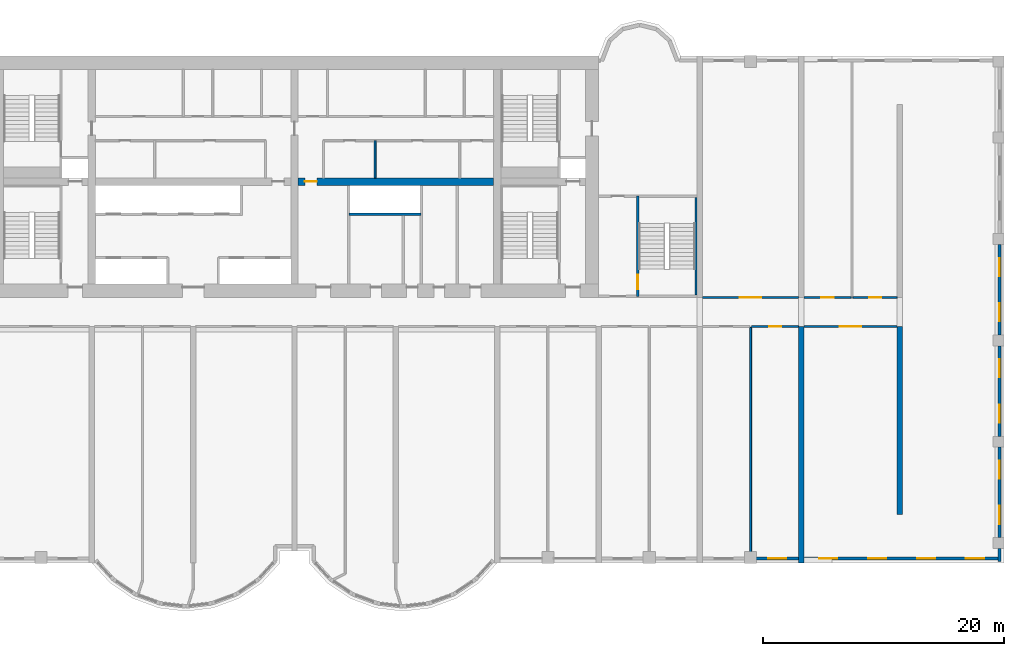
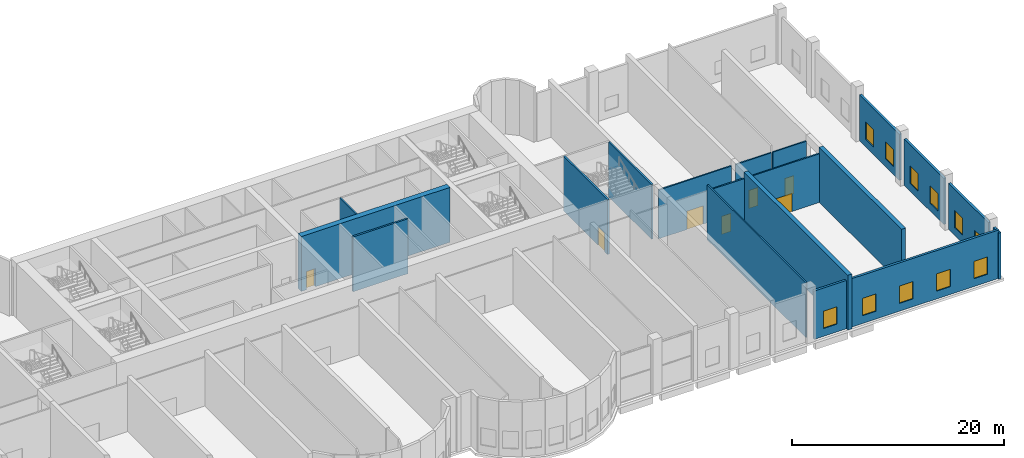
# One storey, part 12 of 15: 19 walls, 11 windows, 7 doors, 18 openings.
"""IFC4 building model written with IfcOpenShell, lengths in metres."""

from ifc_helpers import new_model, si_unit, direction, frame, frame_2d, origin, place, context, subcontext, project, spatial, rectangle, extrude, source, transform, mapped, material, layer, layer_set, type_object, element, fill, save


model = new_model("IFC4")

# Units and contexts
model_context = context("Model", 3, precision=1e-05, world=origin(), true_north=direction((0.0, 1.0)))
body_context = subcontext(model_context, "Body", "Model", "MODEL_VIEW")
ifc_project = project(units=[si_unit("LENGTHUNIT", "METRE"), si_unit("AREAUNIT", "SQUARE_METRE"), si_unit("VOLUMEUNIT", "CUBIC_METRE"), si_unit("PLANEANGLEUNIT", "RADIAN"), si_unit("MASSUNIT", "GRAM", prefix="KILO")], contexts=[model_context])

# Site, building, storey
site_placement = place(None, origin())
site = spatial("IfcSite", under=ifc_project, at=site_placement, CompositionType="ELEMENT")
building_placement = place(site_placement, origin())
building = spatial("IfcBuilding", under=site, at=building_placement, Name="Vanashikhar Sky Hotel", CompositionType="ELEMENT")
storey_placement = place(building_placement, frame((0.0, 0.0, 11.39990234375)))
storey = spatial("IfcBuildingStorey", under=building, at=storey_placement, Name="L02", CompositionType="ELEMENT", Elevation=11.39990234375)

# Wall, opening, door
ifc_material_1 = material(Name="Concrete M80", Category="concrete")
ifc_layer_1 = layer(ifc_material_1, 0.60009765625)
ifc_layer_set_1 = layer_set([ifc_layer_1], Name="RC core inner wall 600 Concrete M80")
wall_type_1 = type_object("IfcWallType", Name="RC core inner wall 600 Concrete M80", PredefinedType="SHEAR", material=ifc_layer_set_1)
shared_shape_1 = source(origin(), body_context, "Body", "SweptSolid", [
    extrude(rectangle(XDim=16.199951171875, YDim=0.60009765625, at=frame_2d((8.10009765625, 0.0))), origin(), (0.0, 0.0, 1.0), 6.320068359375),
])
wall_1_placement = place(storey_placement, frame((50.699951171875, 31.60009765625, 0.0), z_axis=(0.0, 0.0, 1.0), x_axis=(1.0, 0.0, 0.0)))
wall_1 = element("IfcWall", 1, at=wall_1_placement, inside=storey, type_object=wall_type_1, Name="KW-L02-KY3", PredefinedType="SHEAR", context=body_context, shape_type="MappedRepresentation", body=[
    mapped(shared_shape_1, transform((0.0, 0.0, 0.0), scale=1.0)),
])
shared_shape_2 = source(origin(), body_context, "Body", "SweptSolid", [
    extrude(rectangle(XDim=1.0, YDim=2.10009765625, at=frame_2d((0.5, 1.050048828125))), frame((0.0, 0.31005859375, 0.0), z_axis=(0.0, -1.0, 0.0), x_axis=(1.0, 0.0, 0.0)), (0.0, 0.0, 1.0), 0.6201171875),
])
opening_1_placement = place(wall_1_placement, frame((0.550048828125, 0.0, 0.0)))
opening_1 = element("IfcOpeningElement", 2, at=opening_1_placement, cuts=wall_1, Name="Opening DC-4", PredefinedType="OPENING", context=body_context, shape_type="MappedRepresentation", body=[
    mapped(shared_shape_2, transform((0.0, 0.0, 0.0), scale=1.0)),
])
ifc_material_2 = material(Name="Steel", Category="steel")
door_type_1 = type_object("IfcDoorType", Name="Service door 1000 FD60", OperationType="NOTDEFINED", PredefinedType="DOOR", material=ifc_material_2)
shared_shape_3 = source(origin(), body_context, "Body", "SweptSolid", [
    extrude(rectangle(XDim=1.0, YDim=2.10009765625, at=frame_2d((0.5, 1.050048828125))), frame((0.0, 0.02490234375, 0.0), z_axis=(0.0, -1.0, 0.0), x_axis=(1.0, 0.0, 0.0)), (0.0, 0.0, 1.0), 0.050048828125),
])
door_1_placement = place(opening_1_placement, origin())
door_1 = element("IfcDoor", 3, at=door_1_placement, inside=storey, type_object=door_type_1, Name="Service door 1000 FD60", OperationType="SINGLE_SWING_RIGHT", OverallHeight=2.10009765625, OverallWidth=1.0, PredefinedType="DOOR", context=body_context, shape_type="MappedRepresentation", body=[
    mapped(shared_shape_3, transform((0.0, 0.0, 0.0), scale=1.0)),
])
fill(opening_1, door_1)

# Walls
ifc_layer_2 = layer(ifc_material_1, 0.449951171875)
ifc_layer_set_2 = layer_set([ifc_layer_2], Name="RC shear wall 450 Concrete M80")
wall_type_2 = type_object("IfcWallType", Name="RC shear wall 450 Concrete M80", PredefinedType="SHEAR", material=ifc_layer_set_2)
shared_shape_4 = source(origin(), body_context, "Body", "SweptSolid", [
    extrude(rectangle(XDim=15.60009765625, YDim=0.449951171875, at=frame_2d((7.800048828125, 0.0))), origin(), (0.0, 0.0, 1.0), 6.320068359375),
])
wall_2_placement = place(storey_placement, frame((100.574951171875, 4.0, 0.0), z_axis=(0.0, 0.0, 1.0), x_axis=(0.0, 1.0, 0.0)))
element("IfcWall", 4, at=wall_2_placement, inside=storey, type_object=wall_type_2, Name="CW-L02-XW13-1", PredefinedType="SHEAR", context=body_context, shape_type="MappedRepresentation", body=[
    mapped(shared_shape_4, transform((0.0, 0.0, 0.0), scale=1.0)),
])
shared_shape_5 = source(origin(), body_context, "Body", "SweptSolid", [
    extrude(rectangle(XDim=19.60009765625, YDim=0.449951171875, at=frame_2d((9.800048828125, 0.0))), origin(), (0.0, 0.0, 1.0), 6.320068359375),
])
wall_3_placement = place(storey_placement, frame((92.39990234375, 0.0, 0.0), z_axis=(0.0, 0.0, 1.0), x_axis=(0.0, 1.0, 0.0)))
element("IfcWall", 5, at=wall_3_placement, inside=storey, type_object=wall_type_2, Name="CW-L02-XW12-1", PredefinedType="SHEAR", context=body_context, shape_type="MappedRepresentation", body=[
    mapped(shared_shape_5, transform((0.0, 0.0, 0.0), scale=1.0)),
])

# Wall, opening, window
ifc_material_3 = material(Name="Concrete M50", Category="concrete")
ifc_layer_3 = layer(ifc_material_3, 0.25)
ifc_layer_set_3 = layer_set([ifc_layer_3], Name="Rear and end board-marked wall 250")
wall_type_3 = type_object("IfcWallType", Name="Rear and end board-marked wall 250", PredefinedType="SOLIDWALL", material=ifc_layer_set_3)
shared_shape_6 = source(origin(), body_context, "Body", "SweptSolid", [
    extrude(rectangle(XDim=3.525146484375, YDim=0.25, at=frame_2d((1.7626953125, 0.0))), origin(), (0.0, 0.0, 1.0), 5.570068359375),
])
wall_4_placement = place(storey_placement, frame((88.64990234375, 0.375, 0.0), z_axis=(0.0, 0.0, 1.0), x_axis=(1.0, 0.0, 0.0)))
wall_4 = element("IfcWall", 6, at=wall_4_placement, inside=storey, type_object=wall_type_3, Name="Podium external wall", PredefinedType="SOLIDWALL", context=body_context, shape_type="MappedRepresentation", body=[
    mapped(shared_shape_6, transform((0.0, 0.0, 0.0), scale=1.0)),
])
shared_shape_7 = source(origin(), body_context, "Body", "SweptSolid", [
    extrude(rectangle(XDim=1.5, YDim=2.0, at=frame_2d((0.75, 1.0))), frame((0.0, 0.135009765625, 0.0), z_axis=(0.0, -1.0, 0.0), x_axis=(1.0, 0.0, 0.0)), (0.0, 0.0, 1.0), 0.27001953125),
])
opening_2_placement = place(wall_4_placement, frame((1.012451171875, 0.0, 0.89990234375)))
opening_2 = element("IfcOpeningElement", 7, at=opening_2_placement, cuts=wall_4, Name="Opening WN-2", PredefinedType="OPENING", context=body_context, shape_type="MappedRepresentation", body=[
    mapped(shared_shape_7, transform((0.0, 0.0, 0.0), scale=1.0)),
])
ifc_material_4 = material(Name="Glass", Category="glass")
window_type = type_object("IfcWindowType", Name="Lobe window 1500 x 2000", PartitioningType="SINGLE_PANEL", PredefinedType="WINDOW", material=ifc_material_4)
shared_shape_8 = source(origin(), body_context, "Body", "SweptSolid", [
    extrude(rectangle(XDim=1.5, YDim=2.0, at=frame_2d((0.75, 1.0))), frame((0.0, 0.030029296875, 0.0), z_axis=(0.0, -1.0, 0.0), x_axis=(1.0, 0.0, 0.0)), (0.0, 0.0, 1.0), 0.06005859375),
])
window_1_placement = place(opening_2_placement, origin())
window_1 = element("IfcWindow", 8, at=window_1_placement, inside=storey, type_object=window_type, Name="Window WN-2", OverallHeight=2.0, OverallWidth=1.5, PartitioningType="SINGLE_PANEL", PredefinedType="WINDOW", context=body_context, shape_type="MappedRepresentation", body=[
    mapped(shared_shape_8, transform((0.0, 0.0, 0.0), scale=1.0)),
])
fill(opening_2, window_1)

# Wall, openings, windows
shared_shape_9 = source(origin(), body_context, "Body", "SweptSolid", [
    extrude(rectangle(XDim=16.199951171875, YDim=0.25, at=frame_2d((8.10009765625, 0.0))), origin(), (0.0, 0.0, 1.0), 5.570068359375),
])
wall_5_placement = place(storey_placement, frame((92.625, 0.375, 0.0), z_axis=(0.0, 0.0, 1.0), x_axis=(1.0, 0.0, 0.0)))
wall_5 = element("IfcWall", 9, at=wall_5_placement, inside=storey, type_object=wall_type_3, Name="Podium external wall", PredefinedType="SOLIDWALL", context=body_context, shape_type="MappedRepresentation", body=[
    mapped(shared_shape_9, transform((0.0, 0.0, 0.0), scale=1.0)),
])
opening_3_placement = place(wall_5_placement, frame((1.27490234375, 0.0, 0.89990234375)))
opening_3 = element("IfcOpeningElement", 10, at=opening_3_placement, cuts=wall_5, Name="Opening WN-2", PredefinedType="OPENING", context=body_context, shape_type="MappedRepresentation", body=[
    mapped(shared_shape_7, transform((0.0, 0.0, 0.0), scale=1.0)),
])
opening_4_placement = place(wall_5_placement, frame((5.324951171875, 0.0, 0.89990234375)))
opening_4 = element("IfcOpeningElement", 11, at=opening_4_placement, cuts=wall_5, Name="Opening WN-2", PredefinedType="OPENING", context=body_context, shape_type="MappedRepresentation", body=[
    mapped(shared_shape_7, transform((0.0, 0.0, 0.0), scale=1.0)),
])
opening_5_placement = place(wall_5_placement, frame((9.375, 0.0, 0.89990234375)))
opening_5 = element("IfcOpeningElement", 12, at=opening_5_placement, cuts=wall_5, Name="Opening WN-2", PredefinedType="OPENING", context=body_context, shape_type="MappedRepresentation", body=[
    mapped(shared_shape_7, transform((0.0, 0.0, 0.0), scale=1.0)),
])
opening_6_placement = place(wall_5_placement, frame((13.425048828125, 0.0, 0.89990234375)))
opening_6 = element("IfcOpeningElement", 13, at=opening_6_placement, cuts=wall_5, Name="Opening WN-2", PredefinedType="OPENING", context=body_context, shape_type="MappedRepresentation", body=[
    mapped(shared_shape_7, transform((0.0, 0.0, 0.0), scale=1.0)),
])
window_2_placement = place(opening_3_placement, origin())
window_2 = element("IfcWindow", 14, at=window_2_placement, inside=storey, type_object=window_type, Name="Window WN-2", OverallHeight=2.0, OverallWidth=1.5, PartitioningType="SINGLE_PANEL", PredefinedType="WINDOW", context=body_context, shape_type="MappedRepresentation", body=[
    mapped(shared_shape_8, transform((0.0, 0.0, 0.0), scale=1.0)),
])
fill(opening_3, window_2)
window_3_placement = place(opening_4_placement, origin())
window_3 = element("IfcWindow", 15, at=window_3_placement, inside=storey, type_object=window_type, Name="Window WN-2", OverallHeight=2.0, OverallWidth=1.5, PartitioningType="SINGLE_PANEL", PredefinedType="WINDOW", context=body_context, shape_type="MappedRepresentation", body=[
    mapped(shared_shape_8, transform((0.0, 0.0, 0.0), scale=1.0)),
])
fill(opening_4, window_3)
window_4_placement = place(opening_5_placement, origin())
window_4 = element("IfcWindow", 16, at=window_4_placement, inside=storey, type_object=window_type, Name="Window WN-2", OverallHeight=2.0, OverallWidth=1.5, PartitioningType="SINGLE_PANEL", PredefinedType="WINDOW", context=body_context, shape_type="MappedRepresentation", body=[
    mapped(shared_shape_8, transform((0.0, 0.0, 0.0), scale=1.0)),
])
fill(opening_5, window_4)
window_5_placement = place(opening_6_placement, origin())
window_5 = element("IfcWindow", 17, at=window_5_placement, inside=storey, type_object=window_type, Name="Window WN-2", OverallHeight=2.0, OverallWidth=1.5, PartitioningType="SINGLE_PANEL", PredefinedType="WINDOW", context=body_context, shape_type="MappedRepresentation", body=[
    mapped(shared_shape_8, transform((0.0, 0.0, 0.0), scale=1.0)),
])
fill(opening_6, window_5)

# Wall
shared_shape_10 = source(origin(), body_context, "Body", "SweptSolid", [
    extrude(rectangle(XDim=1.074951171875, YDim=0.25, at=frame_2d((0.53759765625, 0.0))), origin(), (0.0, 0.0, 1.0), 5.320068359375),
])
wall_6_placement = place(storey_placement, frame((108.824951171875, 0.125, 0.0), z_axis=(0.0, 0.0, 1.0), x_axis=(0.0, 1.0, 0.0)))
element("IfcWall", 18, at=wall_6_placement, inside=storey, type_object=wall_type_3, Name="Podium external wall", PredefinedType="SOLIDWALL", context=body_context, shape_type="MappedRepresentation", body=[
    mapped(shared_shape_10, transform((0.0, 0.0, 0.0), scale=1.0)),
])

# Wall, openings, windows
shared_shape_11 = source(origin(), body_context, "Body", "SweptSolid", [
    extrude(rectangle(XDim=7.5, YDim=0.25, at=frame_2d((3.75, 0.0))), origin(), (0.0, 0.0, 1.0), 5.320068359375),
])
wall_7_placement = place(storey_placement, frame((108.824951171875, 2.10009765625, 0.0), z_axis=(0.0, 0.0, 1.0), x_axis=(0.0, 1.0, 0.0)))
wall_7 = element("IfcWall", 19, at=wall_7_placement, inside=storey, type_object=wall_type_3, Name="Podium external wall", PredefinedType="SOLIDWALL", context=body_context, shape_type="MappedRepresentation", body=[
    mapped(shared_shape_11, transform((0.0, 0.0, 0.0), scale=1.0)),
])
opening_7_placement = place(wall_7_placement, frame((1.125, 0.0, 0.89990234375)))
opening_7 = element("IfcOpeningElement", 20, at=opening_7_placement, cuts=wall_7, Name="Opening WN-2", PredefinedType="OPENING", context=body_context, shape_type="MappedRepresentation", body=[
    mapped(shared_shape_7, transform((0.0, 0.0, 0.0), scale=1.0)),
])
opening_8_placement = place(wall_7_placement, frame((4.875, 0.0, 0.89990234375)))
opening_8 = element("IfcOpeningElement", 21, at=opening_8_placement, cuts=wall_7, Name="Opening WN-2", PredefinedType="OPENING", context=body_context, shape_type="MappedRepresentation", body=[
    mapped(shared_shape_7, transform((0.0, 0.0, 0.0), scale=1.0)),
])
window_6_placement = place(opening_7_placement, origin())
window_6 = element("IfcWindow", 22, at=window_6_placement, inside=storey, type_object=window_type, Name="Window WN-2", OverallHeight=2.0, OverallWidth=1.5, PartitioningType="SINGLE_PANEL", PredefinedType="WINDOW", context=body_context, shape_type="MappedRepresentation", body=[
    mapped(shared_shape_8, transform((0.0, 0.0, 0.0), scale=1.0)),
])
fill(opening_7, window_6)
window_7_placement = place(opening_8_placement, origin())
window_7 = element("IfcWindow", 23, at=window_7_placement, inside=storey, type_object=window_type, Name="Window WN-2", OverallHeight=2.0, OverallWidth=1.5, PartitioningType="SINGLE_PANEL", PredefinedType="WINDOW", context=body_context, shape_type="MappedRepresentation", body=[
    mapped(shared_shape_8, transform((0.0, 0.0, 0.0), scale=1.0)),
])
fill(opening_8, window_7)

wall_8_placement = place(storey_placement, frame((108.824951171875, 10.5, 0.0), z_axis=(0.0, 0.0, 1.0), x_axis=(0.0, 1.0, 0.0)))
wall_8 = element("IfcWall", 24, at=wall_8_placement, inside=storey, type_object=wall_type_3, Name="Podium external wall", PredefinedType="SOLIDWALL", context=body_context, shape_type="MappedRepresentation", body=[
    mapped(shared_shape_11, transform((0.0, 0.0, 0.0), scale=1.0)),
])
opening_9_placement = place(wall_8_placement, frame((1.125, 0.0, 0.89990234375)))
opening_9 = element("IfcOpeningElement", 25, at=opening_9_placement, cuts=wall_8, Name="Opening WN-2", PredefinedType="OPENING", context=body_context, shape_type="MappedRepresentation", body=[
    mapped(shared_shape_7, transform((0.0, 0.0, 0.0), scale=1.0)),
])
opening_10_placement = place(wall_8_placement, frame((4.875, 0.0, 0.89990234375)))
opening_10 = element("IfcOpeningElement", 26, at=opening_10_placement, cuts=wall_8, Name="Opening WN-2", PredefinedType="OPENING", context=body_context, shape_type="MappedRepresentation", body=[
    mapped(shared_shape_7, transform((0.0, 0.0, 0.0), scale=1.0)),
])
window_8_placement = place(opening_9_placement, origin())
window_8 = element("IfcWindow", 27, at=window_8_placement, inside=storey, type_object=window_type, Name="Window WN-2", OverallHeight=2.0, OverallWidth=1.5, PartitioningType="SINGLE_PANEL", PredefinedType="WINDOW", context=body_context, shape_type="MappedRepresentation", body=[
    mapped(shared_shape_8, transform((0.0, 0.0, 0.0), scale=1.0)),
])
fill(opening_9, window_8)
window_9_placement = place(opening_10_placement, origin())
window_9 = element("IfcWindow", 28, at=window_9_placement, inside=storey, type_object=window_type, Name="Window WN-2", OverallHeight=2.0, OverallWidth=1.5, PartitioningType="SINGLE_PANEL", PredefinedType="WINDOW", context=body_context, shape_type="MappedRepresentation", body=[
    mapped(shared_shape_8, transform((0.0, 0.0, 0.0), scale=1.0)),
])
fill(opening_10, window_9)

wall_9_placement = place(storey_placement, frame((108.824951171875, 18.89990234375, 0.0), z_axis=(0.0, 0.0, 1.0), x_axis=(0.0, 1.0, 0.0)))
wall_9 = element("IfcWall", 29, at=wall_9_placement, inside=storey, type_object=wall_type_3, Name="Podium external wall", PredefinedType="SOLIDWALL", context=body_context, shape_type="MappedRepresentation", body=[
    mapped(shared_shape_11, transform((0.0, 0.0, 0.0), scale=1.0)),
])
opening_11_placement = place(wall_9_placement, frame((1.125, 0.0, 0.89990234375)))
opening_11 = element("IfcOpeningElement", 30, at=opening_11_placement, cuts=wall_9, Name="Opening WN-2", PredefinedType="OPENING", context=body_context, shape_type="MappedRepresentation", body=[
    mapped(shared_shape_7, transform((0.0, 0.0, 0.0), scale=1.0)),
])
opening_12_placement = place(wall_9_placement, frame((4.875, 0.0, 0.89990234375)))
opening_12 = element("IfcOpeningElement", 31, at=opening_12_placement, cuts=wall_9, Name="Opening WN-2", PredefinedType="OPENING", context=body_context, shape_type="MappedRepresentation", body=[
    mapped(shared_shape_7, transform((0.0, 0.0, 0.0), scale=1.0)),
])
window_10_placement = place(opening_11_placement, origin())
window_10 = element("IfcWindow", 32, at=window_10_placement, inside=storey, type_object=window_type, Name="Window WN-2", OverallHeight=2.0, OverallWidth=1.5, PartitioningType="SINGLE_PANEL", PredefinedType="WINDOW", context=body_context, shape_type="MappedRepresentation", body=[
    mapped(shared_shape_8, transform((0.0, 0.0, 0.0), scale=1.0)),
])
fill(opening_11, window_10)
window_11_placement = place(opening_12_placement, origin())
window_11 = element("IfcWindow", 33, at=window_11_placement, inside=storey, type_object=window_type, Name="Window WN-2", OverallHeight=2.0, OverallWidth=1.5, PartitioningType="SINGLE_PANEL", PredefinedType="WINDOW", context=body_context, shape_type="MappedRepresentation", body=[
    mapped(shared_shape_8, transform((0.0, 0.0, 0.0), scale=1.0)),
])
fill(opening_12, window_11)

# Walls
ifc_material_5 = material(Name="Concrete M40", Category="concrete")
ifc_layer_4 = layer(ifc_material_5, 0.199951171875)
ifc_layer_set_4 = layer_set([ifc_layer_4], Name="Shaft wall 200")
wall_type_4 = type_object("IfcWallType", Name="Shaft wall 200", PredefinedType="SOLIDWALL", material=ifc_layer_set_4)
shared_shape_12 = source(origin(), body_context, "Body", "SweptSolid", [
    extrude(rectangle(XDim=6.0, YDim=0.199951171875, at=frame_2d((3.0, 0.0))), origin(), (0.0, 0.0, 1.0), 6.320068359375),
])
wall_10_placement = place(storey_placement, frame((60.89990234375, 28.89990234375, 0.0), z_axis=(0.0, 0.0, 1.0), x_axis=(-1.0, 0.0, 0.0)))
element("IfcWall", 34, at=wall_10_placement, inside=storey, type_object=wall_type_4, Name="Shaft wall 200", PredefinedType="SOLIDWALL", context=body_context, shape_type="MappedRepresentation", body=[
    mapped(shared_shape_12, transform((0.0, 0.0, 0.0), scale=1.0)),
])
ifc_material_6 = material(Name="Gypsum board partition")
ifc_layer_5 = layer(ifc_material_6, 0.14990234375)
ifc_layer_set_5 = layer_set([ifc_layer_5], Name="Service partition 150")
wall_type_5 = type_object("IfcWallType", Name="Service partition 150", PredefinedType="PARTITIONING", material=ifc_layer_set_5)
shared_shape_13 = source(origin(), body_context, "Body", "SweptSolid", [
    extrude(rectangle(XDim=3.10009765625, YDim=0.14990234375, at=frame_2d((1.550048828125, 0.0))), origin(), (0.0, 0.0, 1.0), 6.320068359375),
])
wall_11_placement = place(storey_placement, frame((57.08203125, 31.89990234375, 0.0), z_axis=(0.0, 0.0, 1.0), x_axis=(0.0, 1.0, 0.0)))
element("IfcWall", 35, at=wall_11_placement, inside=storey, type_object=wall_type_5, Name="Service partition 150", PredefinedType="PARTITIONING", context=body_context, shape_type="MappedRepresentation", body=[
    mapped(shared_shape_13, transform((0.0, 0.0, 0.0), scale=1.0)),
])

# Wall, opening, door
ifc_layer_6 = layer(ifc_material_3, 0.199951171875)
ifc_layer_set_6 = layer_set([ifc_layer_6], Name="Stair wall 200")
wall_type_6 = type_object("IfcWallType", Name="Stair wall 200", PredefinedType="SOLIDWALL", material=ifc_layer_set_6)
shared_shape_14 = source(origin(), body_context, "Body", "SweptSolid", [
    extrude(rectangle(XDim=8.2998046875, YDim=0.199951171875, at=frame_2d((4.14990234375, 0.0))), origin(), (0.0, 0.0, 1.0), 6.320068359375),
])
wall_12_placement = place(storey_placement, frame((78.85009765625, 22.10009765625, 0.0), z_axis=(0.0, 0.0, 1.0), x_axis=(0.0, 1.0, 0.0)))
wall_12 = element("IfcWall", 36, at=wall_12_placement, inside=storey, type_object=wall_type_6, Name="Stair wall 200", PredefinedType="SOLIDWALL", context=body_context, shape_type="MappedRepresentation", body=[
    mapped(shared_shape_14, transform((0.0, 0.0, 0.0), scale=1.0)),
])
shared_shape_15 = source(origin(), body_context, "Body", "SweptSolid", [
    extrude(rectangle(XDim=1.199951171875, YDim=2.10009765625, at=frame_2d((0.60009765625, 1.050048828125))), frame((0.0, 0.10986328125, 0.0), z_axis=(0.0, -1.0, 0.0), x_axis=(1.0, 0.0, 0.0)), (0.0, 0.0, 1.0), 0.219970703125),
])
opening_13_placement = place(wall_12_placement, frame((0.60009765625, 0.0, 0.0)))
opening_13 = element("IfcOpeningElement", 37, at=opening_13_placement, cuts=wall_12, Name="Opening DC-1", PredefinedType="OPENING", context=body_context, shape_type="MappedRepresentation", body=[
    mapped(shared_shape_15, transform((0.0, 0.0, 0.0), scale=1.0)),
])
door_type_2 = type_object("IfcDoorType", Name="Stair door 1200 FD120", OperationType="NOTDEFINED", PredefinedType="DOOR", material=ifc_material_2)
shared_shape_16 = source(origin(), body_context, "Body", "SweptSolid", [
    extrude(rectangle(XDim=1.199951171875, YDim=2.10009765625, at=frame_2d((0.60009765625, 1.050048828125))), frame((0.0, 0.02490234375, 0.0), z_axis=(0.0, -1.0, 0.0), x_axis=(1.0, 0.0, 0.0)), (0.0, 0.0, 1.0), 0.050048828125),
])
door_2_placement = place(opening_13_placement, origin())
door_2 = element("IfcDoor", 38, at=door_2_placement, inside=storey, type_object=door_type_2, Name="Stair door 1200 FD120", OperationType="SINGLE_SWING_LEFT", OverallHeight=2.10009765625, OverallWidth=1.199951171875, PredefinedType="DOOR", context=body_context, shape_type="MappedRepresentation", body=[
    mapped(shared_shape_16, transform((0.0, 0.0, 0.0), scale=1.0)),
])
fill(opening_13, door_2)

# Wall
ifc_layer_7 = layer(ifc_material_3, 0.175048828125)
ifc_layer_set_7 = layer_set([ifc_layer_7], Name="Stair infill wall 175")
wall_type_7 = type_object("IfcWallType", Name="Stair infill wall 175", PredefinedType="SOLIDWALL", material=ifc_layer_set_7)
shared_shape_17 = source(origin(), body_context, "Body", "SweptSolid", [
    extrude(rectangle(XDim=8.10009765625, YDim=0.175048828125, at=frame_2d((4.050048828125, 0.0))), origin(), (0.0, 0.0, 1.0), 6.320068359375),
])
wall_13_placement = place(storey_placement, frame((83.68798828125, 22.199951171875, 0.0), z_axis=(0.0, 0.0, 1.0), x_axis=(0.0, 1.0, 0.0)))
element("IfcWall", 39, at=wall_13_placement, inside=storey, type_object=wall_type_7, Name="Stair infill wall 175", PredefinedType="SOLIDWALL", context=body_context, shape_type="MappedRepresentation", body=[
    mapped(shared_shape_17, transform((0.0, 0.0, 0.0), scale=1.0)),
])

# Wall, opening, door
ifc_material_7 = material(Name="Gypsum plasterboard partition")
ifc_layer_8 = layer(ifc_material_7, 0.14990234375)
ifc_layer_set_8 = layer_set([ifc_layer_8], Name="Corridor and demising partition 150")
wall_type_8 = type_object("IfcWallType", Name="Corridor and demising partition 150", PredefinedType="PARTITIONING", material=ifc_layer_set_8)
shared_shape_18 = source(origin(), body_context, "Body", "SweptSolid", [
    extrude(rectangle(XDim=7.72509765625, YDim=0.14990234375, at=frame_2d((3.862548828125, 0.0))), origin(), (0.0, 0.0, 1.0), 5.6201171875),
])
wall_14_placement = place(storey_placement, frame((92.625, 19.60009765625, 0.0), z_axis=(0.0, 0.0, 1.0), x_axis=(1.0, 0.0, 0.0)))
wall_14 = element("IfcWall", 40, at=wall_14_placement, inside=storey, type_object=wall_type_8, Name="W-L02-PW022", PredefinedType="PARTITIONING", context=body_context, shape_type="MappedRepresentation", body=[
    mapped(shared_shape_18, transform((0.0, 0.0, 0.0), scale=1.0)),
])
shared_shape_19 = source(origin(), body_context, "Body", "SweptSolid", [
    extrude(rectangle(XDim=1.800048828125, YDim=2.10009765625, at=frame_2d((0.89990234375, 1.050048828125))), frame((0.0, 0.0849609375, 0.0), z_axis=(0.0, -1.0, 0.0), x_axis=(1.0, 0.0, 0.0)), (0.0, 0.0, 1.0), 0.169921875),
])
opening_14_placement = place(wall_14_placement, frame((2.9619140625, 0.0, 0.0)))
opening_14 = element("IfcOpeningElement", 41, at=opening_14_placement, cuts=wall_14, Name="Opening D-03", PredefinedType="OPENING", context=body_context, shape_type="MappedRepresentation", body=[
    mapped(shared_shape_19, transform((0.0, 0.0, 0.0), scale=1.0)),
])
ifc_material_8 = material(Name="Timber fire door", Category="wood")
door_type_3 = type_object("IfcDoorType", Name="Double leaf door 1800 FD30S", OperationType="NOTDEFINED", PredefinedType="DOOR", material=ifc_material_8)
shared_shape_20 = source(origin(), body_context, "Body", "SweptSolid", [
    extrude(rectangle(XDim=1.800048828125, YDim=2.10009765625, at=frame_2d((0.89990234375, 1.050048828125))), frame((0.0, 0.02490234375, 0.0), z_axis=(0.0, -1.0, 0.0), x_axis=(1.0, 0.0, 0.0)), (0.0, 0.0, 1.0), 0.050048828125),
])
door_3_placement = place(opening_14_placement, origin())
door_3 = element("IfcDoor", 42, at=door_3_placement, inside=storey, type_object=door_type_3, Name="D-L02-017", OperationType="DOUBLE_DOOR_SINGLE_SWING", OverallHeight=2.10009765625, OverallWidth=1.800048828125, PredefinedType="DOOR", context=body_context, shape_type="MappedRepresentation", body=[
    mapped(shared_shape_20, transform((0.0, 0.0, 0.0), scale=1.0)),
])
fill(opening_14, door_3)

shared_shape_21 = source(origin(), body_context, "Body", "SweptSolid", [
    extrude(rectangle(XDim=7.949951171875, YDim=0.14990234375, at=frame_2d((3.97509765625, 0.0))), origin(), (0.0, 0.0, 1.0), 5.6201171875),
])
wall_15_placement = place(storey_placement, frame((84.22509765625, 22.0, 0.0), z_axis=(0.0, 0.0, 1.0), x_axis=(1.0, 0.0, 0.0)))
wall_15 = element("IfcWall", 43, at=wall_15_placement, inside=storey, type_object=wall_type_8, Name="W-L02-PW027", PredefinedType="PARTITIONING", context=body_context, shape_type="MappedRepresentation", body=[
    mapped(shared_shape_21, transform((0.0, 0.0, 0.0), scale=1.0)),
])
opening_15_placement = place(wall_15_placement, frame((3.074951171875, 0.0, 0.0)))
opening_15 = element("IfcOpeningElement", 44, at=opening_15_placement, cuts=wall_15, Name="Opening D-03", PredefinedType="OPENING", context=body_context, shape_type="MappedRepresentation", body=[
    mapped(shared_shape_19, transform((0.0, 0.0, 0.0), scale=1.0)),
])
door_4_placement = place(opening_15_placement, origin())
door_4 = element("IfcDoor", 45, at=door_4_placement, inside=storey, type_object=door_type_3, Name="D-L02-020", OperationType="DOUBLE_DOOR_SINGLE_SWING", OverallHeight=2.10009765625, OverallWidth=1.800048828125, PredefinedType="DOOR", context=body_context, shape_type="MappedRepresentation", body=[
    mapped(shared_shape_20, transform((0.0, 0.0, 0.0), scale=1.0)),
])
fill(opening_15, door_4)

shared_shape_22 = source(origin(), body_context, "Body", "SweptSolid", [
    extrude(rectangle(XDim=3.900146484375, YDim=0.14990234375, at=frame_2d((1.9501953125, 0.0))), origin(), (0.0, 0.0, 1.0), 5.6201171875),
])
wall_16_placement = place(storey_placement, frame((88.27490234375, 19.60009765625, 0.0), z_axis=(0.0, 0.0, 1.0), x_axis=(1.0, 0.0, 0.0)))
wall_16 = element("IfcWall", 46, at=wall_16_placement, inside=storey, type_object=wall_type_8, Name="W-L02-PW020", PredefinedType="PARTITIONING", context=body_context, shape_type="MappedRepresentation", body=[
    mapped(shared_shape_22, transform((0.0, 0.0, 0.0), scale=1.0)),
])
shared_shape_23 = source(origin(), body_context, "Body", "SweptSolid", [
    extrude(rectangle(XDim=1.0, YDim=2.10009765625, at=frame_2d((0.5, 1.050048828125))), frame((0.0, 0.0849609375, 0.0), z_axis=(0.0, -1.0, 0.0), x_axis=(1.0, 0.0, 0.0)), (0.0, 0.0, 1.0), 0.169921875),
])
opening_16_placement = place(wall_16_placement, frame((1.449951171875, 0.0, 0.0)))
opening_16 = element("IfcOpeningElement", 47, at=opening_16_placement, cuts=wall_16, Name="Opening D-01", PredefinedType="OPENING", context=body_context, shape_type="MappedRepresentation", body=[
    mapped(shared_shape_23, transform((0.0, 0.0, 0.0), scale=1.0)),
])
door_type_4 = type_object("IfcDoorType", Name="Guest entry door 1000 FD30S", OperationType="NOTDEFINED", PredefinedType="DOOR", material=ifc_material_8)
door_5_placement = place(opening_16_placement, origin())
door_5 = element("IfcDoor", 48, at=door_5_placement, inside=storey, type_object=door_type_4, Name="D-L02-016", OperationType="SINGLE_SWING_RIGHT", OverallHeight=2.10009765625, OverallWidth=1.0, PredefinedType="DOOR", context=body_context, shape_type="MappedRepresentation", body=[
    mapped(shared_shape_3, transform((0.0, 0.0, 0.0), scale=1.0)),
])
fill(opening_16, door_5)

shared_shape_24 = source(origin(), body_context, "Body", "SweptSolid", [
    extrude(rectangle(XDim=3.89990234375, YDim=0.14990234375, at=frame_2d((1.949951171875, 0.0))), origin(), (0.0, 0.0, 1.0), 5.6201171875),
])
wall_17_placement = place(storey_placement, frame((92.625, 22.0, 0.0), z_axis=(0.0, 0.0, 1.0), x_axis=(1.0, 0.0, 0.0)))
wall_17 = element("IfcWall", 49, at=wall_17_placement, inside=storey, type_object=wall_type_8, Name="W-L02-PW028", PredefinedType="PARTITIONING", context=body_context, shape_type="MappedRepresentation", body=[
    mapped(shared_shape_24, transform((0.0, 0.0, 0.0), scale=1.0)),
])
opening_17_placement = place(wall_17_placement, frame((1.449951171875, 0.0, 0.0)))
opening_17 = element("IfcOpeningElement", 50, at=opening_17_placement, cuts=wall_17, Name="Opening D-01", PredefinedType="OPENING", context=body_context, shape_type="MappedRepresentation", body=[
    mapped(shared_shape_23, transform((0.0, 0.0, 0.0), scale=1.0)),
])
door_6_placement = place(opening_17_placement, origin())
door_6 = element("IfcDoor", 51, at=door_6_placement, inside=storey, type_object=door_type_4, Name="D-L02-021", OperationType="SINGLE_SWING_LEFT", OverallHeight=2.10009765625, OverallWidth=1.0, PredefinedType="DOOR", context=body_context, shape_type="MappedRepresentation", body=[
    mapped(shared_shape_3, transform((0.0, 0.0, 0.0), scale=1.0)),
])
fill(opening_17, door_6)

# Wall
shared_shape_25 = source(origin(), body_context, "Body", "SweptSolid", [
    extrude(rectangle(XDim=18.625, YDim=0.14990234375, at=frame_2d((9.3125, 0.0))), origin(), (0.0, 0.0, 1.0), 6.320068359375),
])
wall_18_placement = place(storey_placement, frame((88.199951171875, 0.89990234375, 0.0), z_axis=(0.0, 0.0, 1.0), x_axis=(0.0, 1.0, 0.0)))
element("IfcWall", 52, at=wall_18_placement, inside=storey, type_object=wall_type_8, Name="W-L02-PW021", PredefinedType="PARTITIONING", context=body_context, shape_type="MappedRepresentation", body=[
    mapped(shared_shape_25, transform((0.0, 0.0, 0.0), scale=1.0)),
])

# Wall, opening, door
shared_shape_26 = source(origin(), body_context, "Body", "SweptSolid", [
    extrude(rectangle(XDim=3.675048828125, YDim=0.14990234375, at=frame_2d((1.83740234375, 0.0))), origin(), (0.0, 0.0, 1.0), 5.6201171875),
])
wall_19_placement = place(storey_placement, frame((96.675048828125, 22.0, 0.0), z_axis=(0.0, 0.0, 1.0), x_axis=(1.0, 0.0, 0.0)))
wall_19 = element("IfcWall", 53, at=wall_19_placement, inside=storey, type_object=wall_type_8, Name="W-L02-PW029", PredefinedType="PARTITIONING", context=body_context, shape_type="MappedRepresentation", body=[
    mapped(shared_shape_26, transform((0.0, 0.0, 0.0), scale=1.0)),
])
opening_18_placement = place(wall_19_placement, frame((1.3369140625, 0.0, 0.0)))
opening_18 = element("IfcOpeningElement", 54, at=opening_18_placement, cuts=wall_19, Name="Opening D-01", PredefinedType="OPENING", context=body_context, shape_type="MappedRepresentation", body=[
    mapped(shared_shape_23, transform((0.0, 0.0, 0.0), scale=1.0)),
])
door_7_placement = place(opening_18_placement, origin())
door_7 = element("IfcDoor", 55, at=door_7_placement, inside=storey, type_object=door_type_4, Name="D-L02-022", OperationType="SINGLE_SWING_RIGHT", OverallHeight=2.10009765625, OverallWidth=1.0, PredefinedType="DOOR", context=body_context, shape_type="MappedRepresentation", body=[
    mapped(shared_shape_3, transform((0.0, 0.0, 0.0), scale=1.0)),
])
fill(opening_18, door_7)

save(model, "model.ifc")
